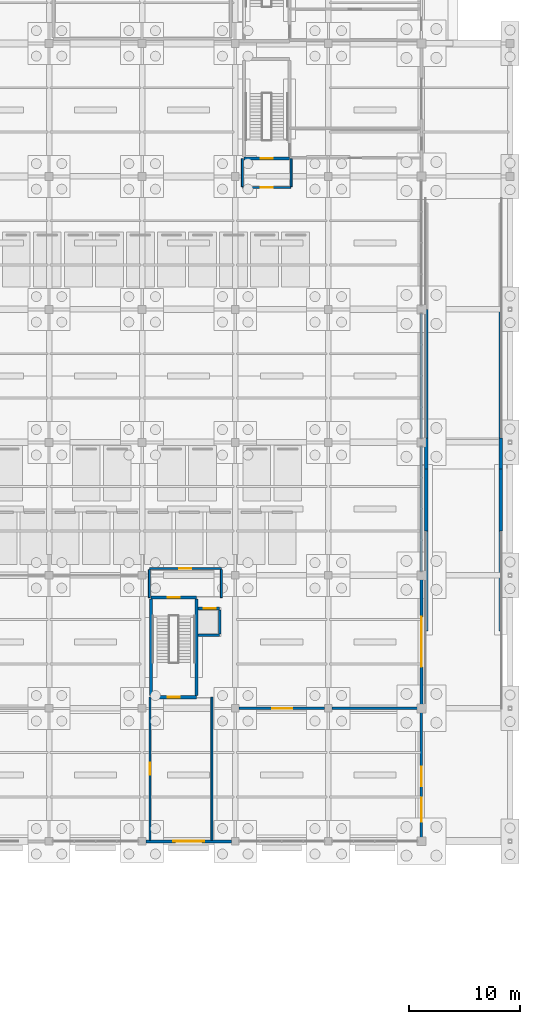
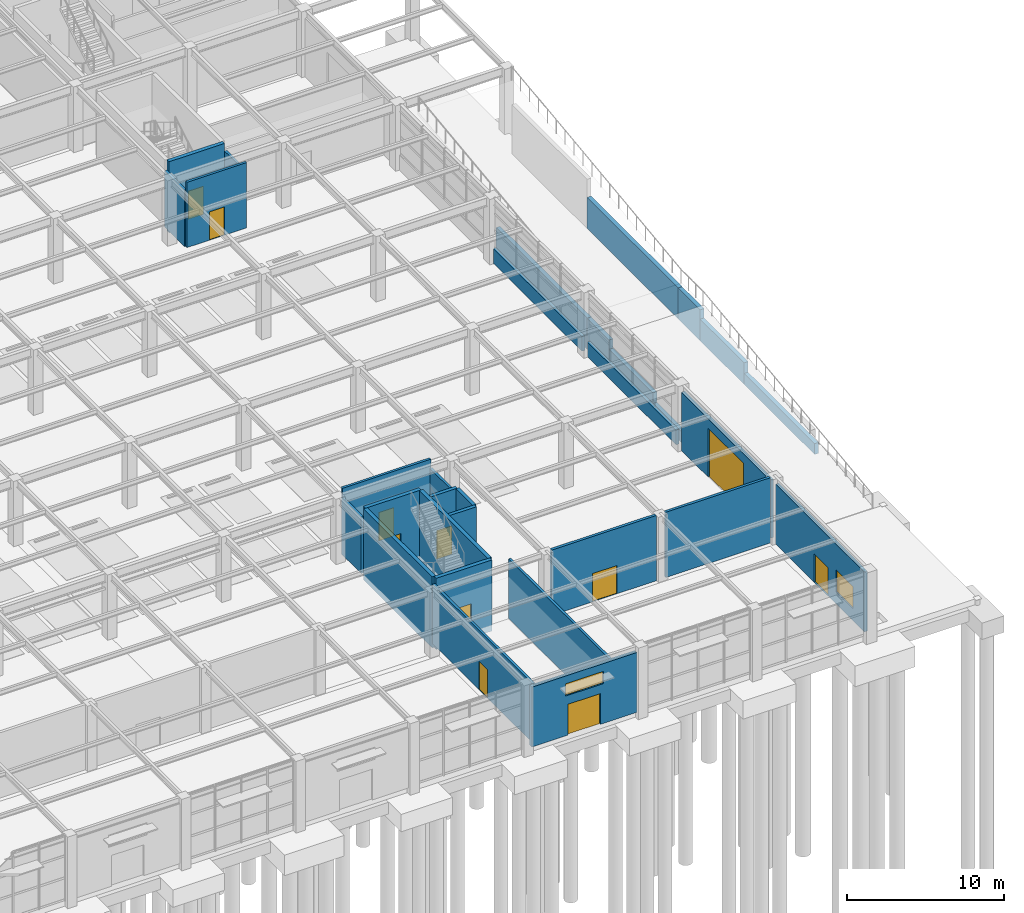
# One storey, part 108 of 129: 31 walls, 11 doors, 2 windows, 13 openings.
"""IFC4 building model written with IfcOpenShell, lengths in metres."""

from ifc_helpers import new_model, si_unit, direction, frame, frame_2d, origin, place, context, subcontext, project, spatial, rectangle, extrude, material, layer, layer_set, type_object, element, fill, save


model = new_model("IFC4")

# Units and contexts
model_context = context("Model", 3, precision=1e-05, world=origin(), true_north=direction((0.0, 1.0)))
body_context = subcontext(model_context, "Body", "Model", "MODEL_VIEW")
ifc_project = project(units=[si_unit("LENGTHUNIT", "METRE"), si_unit("AREAUNIT", "SQUARE_METRE"), si_unit("VOLUMEUNIT", "CUBIC_METRE"), si_unit("PLANEANGLEUNIT", "RADIAN"), si_unit("MASSUNIT", "GRAM", prefix="KILO")], contexts=[model_context])

# Site, building, storey
site_placement = place(None, origin())
site = spatial("IfcSite", under=ifc_project, at=site_placement, CompositionType="ELEMENT")
building_placement = place(site_placement, origin())
building = spatial("IfcBuilding", under=site, at=building_placement, Name="Sitalva Quay Ferry Terminal", CompositionType="ELEMENT")
storey_placement = place(building_placement, origin())
storey = spatial("IfcBuildingStorey", under=building, at=storey_placement, Name="L01", CompositionType="ELEMENT", Elevation=0.0)

# Wall, opening, door
ifc_material_1 = material(Name="Concrete C40/50", Category="concrete")
ifc_layer_1 = layer(ifc_material_1, 0.280029296875)
ifc_layer_set_1 = layer_set([ifc_layer_1], Name="Concrete C40/50")
wall_type_1 = type_object("IfcWallType", Name="Wall_CoreShear_280", PredefinedType="SHEAR", material=ifc_layer_set_1)
wall_1_placement = place(storey_placement, frame((147.699951171875, 19.0, -0.449951171875), z_axis=(0.0, 0.0, 1.0), x_axis=(-1.0, 0.0, 0.0)))
wall_1 = element("IfcWall", 1, at=wall_1_placement, inside=storey, type_object=wall_type_1, Name="Core C8 L01 south shear wall", PredefinedType="SHEAR", context=body_context, shape_type="SweptSolid", body=[
    extrude(rectangle(XDim=4.099853515625, YDim=0.280029296875, at=frame_2d((2.0498046875, 0.0))), origin(), (0.0, 0.0, 1.0), 5.530029296875),
])
opening_1_placement = place(wall_1_placement, frame((1.5, 0.0, 0.449951171875)))
opening_1 = element("IfcOpeningElement", 2, at=opening_1_placement, cuts=wall_1, Name="Opening D-L01-029", PredefinedType="OPENING", context=body_context, shape_type="SweptSolid", body=[
    extrude(rectangle(XDim=1.10009765625, YDim=2.199951171875, at=frame_2d((0.550048828125, 1.10009765625))), frame((0.0, 0.14990234375, 0.0), z_axis=(0.0, -1.0, 0.0), x_axis=(1.0, 0.0, 0.0)), (0.0, 0.0, 1.0), 0.300048828125),
])
ifc_material_2 = material(Name="Galvanised Steel Fire Door", Category="steel")
door_type_1 = type_object("IfcDoorType", Name="Door_CoreExit_1100x2200", OperationType="SINGLE_SWING_LEFT", PredefinedType="DOOR", material=ifc_material_2)
door_1_placement = place(opening_1_placement, origin())
door_1 = element("IfcDoor", 3, at=door_1_placement, inside=storey, type_object=door_type_1, Name="DOOR-D-L01-029 Protected stair ST-08 exit discharge door D-L01-029", OperationType="SINGLE_SWING_LEFT", OverallHeight=2.199951171875, OverallWidth=1.10009765625, PredefinedType="DOOR", context=body_context, shape_type="SweptSolid", body=[
    extrude(rectangle(XDim=1.10009765625, YDim=2.199951171875, at=frame_2d((0.550048828125, 1.10009765625))), frame((0.0, 0.02490234375, 0.0), z_axis=(0.0, -1.0, 0.0), x_axis=(1.0, 0.0, 0.0)), (0.0, 0.0, 1.0), 0.050048828125),
])
fill(opening_1, door_1)

wall_2_placement = place(storey_placement, frame((143.60009765625, 28.0, -0.449951171875), z_axis=(0.0, 0.0, 1.0), x_axis=(1.0, 0.0, 0.0)))
wall_2 = element("IfcWall", 4, at=wall_2_placement, inside=storey, type_object=wall_type_1, Name="Core C8 L01 north shear wall", PredefinedType="SHEAR", context=body_context, shape_type="SweptSolid", body=[
    extrude(rectangle(XDim=4.099853515625, YDim=0.280029296875, at=frame_2d((2.0498046875, 0.0))), origin(), (0.0, 0.0, 1.0), 5.530029296875),
])
opening_2_placement = place(wall_2_placement, frame((1.5, 0.0, 0.449951171875)))
opening_2 = element("IfcOpeningElement", 5, at=opening_2_placement, cuts=wall_2, Name="Opening D-L01-028", PredefinedType="OPENING", context=body_context, shape_type="SweptSolid", body=[
    extrude(rectangle(XDim=1.10009765625, YDim=2.199951171875, at=frame_2d((0.550048828125, 1.10009765625))), frame((0.0, 0.14990234375, 0.0), z_axis=(0.0, -1.0, 0.0), x_axis=(1.0, 0.0, 0.0)), (0.0, 0.0, 1.0), 0.300048828125),
])
door_2_placement = place(opening_2_placement, origin())
door_2 = element("IfcDoor", 6, at=door_2_placement, inside=storey, type_object=door_type_1, Name="DOOR-D-L01-028 Protected stair ST-08 door D-L01-028", OperationType="SINGLE_SWING_RIGHT", OverallHeight=2.199951171875, OverallWidth=1.10009765625, PredefinedType="DOOR", context=body_context, shape_type="SweptSolid", body=[
    extrude(rectangle(XDim=1.10009765625, YDim=2.199951171875, at=frame_2d((0.550048828125, 1.10009765625))), frame((0.0, 0.02490234375, 0.0), z_axis=(0.0, -1.0, 0.0), x_axis=(1.0, 0.0, 0.0)), (0.0, 0.0, 1.0), 0.050048828125),
])
fill(opening_2, door_2)

# Walls
for number, where, z_axis, x_axis, name in (
    (7, (143.60009765625, 19.139892578125, -0.449951171875), (0.0, 0.0, 1.0), (0.0, 1.0, 0.0), "Core C8 L01 west shear wall"),
    (8, (147.699951171875, 19.139892578125, -0.449951171875), (0.0, 0.0, 1.0), (0.0, 1.0, 0.0), "Core C8 L01 east shear wall"),
):
    element("IfcWall", number, at=place(storey_placement, frame(where, z_axis=z_axis, x_axis=x_axis)), inside=storey, type_object=wall_type_1, Name=name, PredefinedType="SHEAR", context=body_context, shape_type="SweptSolid", body=[
        extrude(rectangle(XDim=8.72021484375, YDim=0.280029296875, at=frame_2d((4.360107421875, 0.0))), origin(), (0.0, 0.0, 1.0), 5.530029296875),
    ])

# Wall, opening, door
wall_3_placement = place(storey_placement, frame((156.10009765625, 67.60009765625, -0.449951171875), z_axis=(0.0, 0.0, 1.0), x_axis=(-1.0, 0.0, 0.0)))
wall_3 = element("IfcWall", 9, at=wall_3_placement, inside=storey, type_object=wall_type_1, Name="Core C9 L01 south shear wall", PredefinedType="SHEAR", context=body_context, shape_type="SweptSolid", body=[
    extrude(rectangle(XDim=4.10009765625, YDim=0.280029296875, at=frame_2d((2.050048828125, 0.0))), origin(), (0.0, 0.0, 1.0), 5.530029296875),
])
opening_3_placement = place(wall_3_placement, frame((1.5, 0.0, 0.449951171875)))
opening_3 = element("IfcOpeningElement", 10, at=opening_3_placement, cuts=wall_3, Name="Opening D-L01-032", PredefinedType="OPENING", context=body_context, shape_type="SweptSolid", body=[
    extrude(rectangle(XDim=1.10009765625, YDim=2.199951171875, at=frame_2d((0.550048828125, 1.10009765625))), frame((0.0, 0.14990234375, 0.0), z_axis=(0.0, -1.0, 0.0), x_axis=(1.0, 0.0, 0.0)), (0.0, 0.0, 1.0), 0.300048828125),
])
door_3_placement = place(opening_3_placement, origin())
door_3 = element("IfcDoor", 11, at=door_3_placement, inside=storey, type_object=door_type_1, Name="DOOR-D-L01-032 Protected stair ST-09 door D-L01-032", OperationType="SINGLE_SWING_RIGHT", OverallHeight=2.199951171875, OverallWidth=1.10009765625, PredefinedType="DOOR", context=body_context, shape_type="SweptSolid", body=[
    extrude(rectangle(XDim=1.10009765625, YDim=2.199951171875, at=frame_2d((0.550048828125, 1.10009765625))), frame((0.0, 0.02490234375, 0.0), z_axis=(0.0, -1.0, 0.0), x_axis=(1.0, 0.0, 0.0)), (0.0, 0.0, 1.0), 0.050048828125),
])
fill(opening_3, door_3)

# Walls
ifc_material_3 = material(Name="Concrete C40/50", Category="concrete")
ifc_layer_2 = layer(ifc_material_3, 0.300048828125)
ifc_layer_set_2 = layer_set([ifc_layer_2], Name="Concrete C40/50")
wall_type_2 = type_object("IfcWallType", Name="Wall_CoreShear_300", PredefinedType="SHEAR", material=ifc_layer_set_2)
wall_4_placement = place(storey_placement, frame((168.449951171875, 25.0, 0.0), z_axis=(0.0, 0.0, 1.0), x_axis=(0.0, 1.0, 0.0)))
element("IfcWall", 12, at=wall_4_placement, inside=storey, type_object=wall_type_2, Name="Vehicle ramp VR-01 lower support pier W", PredefinedType="SHEAR", context=body_context, shape_type="SweptSolid", body=[
    extrude(rectangle(XDim=9.0, YDim=0.300048828125, at=frame_2d((4.5, 0.0))), origin(), (0.0, 0.0, 1.0), 0.85009765625),
])
wall_5_placement = place(storey_placement, frame((168.449951171875, 34.0, 0.0), z_axis=(0.0, 0.0, 1.0), x_axis=(0.0, 1.0, 0.0)))
element("IfcWall", 13, at=wall_5_placement, inside=storey, type_object=wall_type_2, Name="Vehicle ramp VR-01 lower-upper pier W", PredefinedType="SHEAR", context=body_context, shape_type="SweptSolid", body=[
    extrude(rectangle(XDim=5.60009765625, YDim=0.300048828125, at=frame_2d((2.800048828125, 0.0))), origin(), (0.0, 0.0, 1.0), 1.679931640625),
])
wall_6_placement = place(storey_placement, frame((168.449951171875, 39.60009765625, 0.0), z_axis=(0.0, 0.0, 1.0), x_axis=(0.0, 1.0, 0.0)))
element("IfcWall", 14, at=wall_6_placement, inside=storey, type_object=wall_type_2, Name="Vehicle ramp VR-01 mid-landing support wall W", PredefinedType="SHEAR", context=body_context, shape_type="SweptSolid", body=[
    extrude(rectangle(XDim=2.7998046875, YDim=0.300048828125, at=frame_2d((1.39990234375, 0.0))), origin(), (0.0, 0.0, 1.0), 2.39990234375),
])
wall_7_placement = place(storey_placement, frame((168.449951171875, 42.385009765625, 0.0), z_axis=(0.0, 0.0, 1.0), x_axis=(0.0, 1.0, 0.0)))
element("IfcWall", 15, at=wall_7_placement, inside=storey, type_object=wall_type_2, Name="Vehicle ramp VR-01 upper-mid support wall W", PredefinedType="SHEAR", context=body_context, shape_type="SweptSolid", body=[
    extrude(rectangle(XDim=11.614990234375, YDim=0.300048828125, at=frame_2d((5.8076171875, 0.0))), origin(), (0.0, 0.0, 1.0), 2.419921875),
])
wall_8_placement = place(storey_placement, frame((175.14990234375, 25.0, 0.0), z_axis=(0.0, 0.0, 1.0), x_axis=(0.0, 1.0, 0.0)))
element("IfcWall", 16, at=wall_8_placement, inside=storey, type_object=wall_type_2, Name="Vehicle ramp VR-01 lower support pier E", PredefinedType="SHEAR", context=body_context, shape_type="SweptSolid", body=[
    extrude(rectangle(XDim=9.0, YDim=0.300048828125, at=frame_2d((4.5, 0.0))), origin(), (0.0, 0.0, 1.0), 0.85009765625),
])
wall_9_placement = place(storey_placement, frame((175.14990234375, 34.0, 0.0), z_axis=(0.0, 0.0, 1.0), x_axis=(0.0, 1.0, 0.0)))
element("IfcWall", 17, at=wall_9_placement, inside=storey, type_object=wall_type_2, Name="Vehicle ramp VR-01 lower-upper pier E", PredefinedType="SHEAR", context=body_context, shape_type="SweptSolid", body=[
    extrude(rectangle(XDim=5.60009765625, YDim=0.300048828125, at=frame_2d((2.800048828125, 0.0))), origin(), (0.0, 0.0, 1.0), 1.679931640625),
])
wall_10_placement = place(storey_placement, frame((175.14990234375, 39.60009765625, 0.0), z_axis=(0.0, 0.0, 1.0), x_axis=(0.0, 1.0, 0.0)))
element("IfcWall", 18, at=wall_10_placement, inside=storey, type_object=wall_type_2, Name="Vehicle ramp VR-01 mid-landing support wall E", PredefinedType="SHEAR", context=body_context, shape_type="SweptSolid", body=[
    extrude(rectangle(XDim=2.7998046875, YDim=0.300048828125, at=frame_2d((1.39990234375, 0.0))), origin(), (0.0, 0.0, 1.0), 2.39990234375),
])
wall_11_placement = place(storey_placement, frame((175.14990234375, 42.39990234375, 0.0), z_axis=(0.0, 0.0, 1.0), x_axis=(0.0, 1.0, 0.0)))
element("IfcWall", 19, at=wall_11_placement, inside=storey, type_object=wall_type_2, Name="Vehicle ramp VR-01 upper-mid support wall E", PredefinedType="SHEAR", context=body_context, shape_type="SweptSolid", body=[
    extrude(rectangle(XDim=11.60009765625, YDim=0.300048828125, at=frame_2d((5.800048828125, 0.0))), origin(), (0.0, 0.0, 1.0), 2.419921875),
])

# Wall, openings, door, window
ifc_material_4 = material(Name="Insulated Precast Concrete C40/50", Category="concrete")
ifc_layer_3 = layer(ifc_material_4, 0.239990234375)
ifc_layer_set_3 = layer_set([ifc_layer_3], Name="Insulated Precast Concrete C40/50")
wall_type_3 = type_object("IfcWallType", Name="Wall_ExtClad_240", PredefinedType="ELEMENTEDWALL", material=ifc_layer_set_3)
wall_12_placement = place(storey_placement, frame((168.0, 6.35009765625, 0.0), z_axis=(0.0, 0.0, 1.0), x_axis=(0.0, 1.0, 0.0)))
wall_12 = element("IfcWall", 20, at=wall_12_placement, inside=storey, type_object=wall_type_3, Name="SE concourse east end wall EW-L01-125", PredefinedType="ELEMENTEDWALL", context=body_context, shape_type="SweptSolid", body=[
    extrude(rectangle(XDim=11.2998046875, YDim=0.239990234375, at=frame_2d((5.64990234375, 0.0))), origin(), (0.0, 0.0, 1.0), 4.657958984375),
])
opening_4_placement = place(wall_12_placement, frame((4.60009765625, 0.0, 0.0)))
opening_4 = element("IfcOpeningElement", 21, at=opening_4_placement, cuts=wall_12, Name="Opening ED-L01-020", PredefinedType="OPENING", context=body_context, shape_type="SweptSolid", body=[
    extrude(rectangle(XDim=1.800048828125, YDim=2.199951171875, at=frame_2d((0.89990234375, 1.10009765625))), frame((0.0, 0.1298828125, 0.0), z_axis=(0.0, -1.0, 0.0), x_axis=(1.0, 0.0, 0.0)), (0.0, 0.0, 1.0), 0.260009765625),
])
opening_5_placement = place(wall_12_placement, frame((1.39990234375, 0.0, 0.949951171875)))
opening_5 = element("IfcOpeningElement", 22, at=opening_5_placement, cuts=wall_12, Name="Opening WN-L01-010", PredefinedType="OPENING", context=body_context, shape_type="SweptSolid", body=[
    extrude(rectangle(XDim=2.199951171875, YDim=1.699951171875, at=frame_2d((1.10009765625, 0.85009765625))), frame((0.0, 0.1298828125, 0.0), z_axis=(0.0, -1.0, 0.0), x_axis=(1.0, 0.0, 0.0)), (0.0, 0.0, 1.0), 0.260009765625),
])
ifc_material_5 = material(Name="Stainless Steel 316L", Category="steel")
door_type_2 = type_object("IfcDoorType", Name="Door_QuayExit_1800x2200", OperationType="DOUBLE_DOOR_SINGLE_SWING", PredefinedType="DOOR", material=ifc_material_5)
door_4_placement = place(opening_4_placement, origin())
door_4 = element("IfcDoor", 23, at=door_4_placement, inside=storey, type_object=door_type_2, Name="EDOOR-ED-L01-020 East pier pedestrian exit door ED-L01-020", OperationType="DOUBLE_DOOR_SINGLE_SWING", OverallHeight=2.199951171875, OverallWidth=1.800048828125, PredefinedType="DOOR", context=body_context, shape_type="SweptSolid", body=[
    extrude(rectangle(XDim=1.800048828125, YDim=2.199951171875, at=frame_2d((0.89990234375, 1.10009765625))), frame((0.0, 0.02490234375, 0.0), z_axis=(0.0, -1.0, 0.0), x_axis=(1.0, 0.0, 0.0)), (0.0, 0.0, 1.0), 0.050048828125),
])
fill(opening_4, door_4)
ifc_material_6 = material(Name="Anodised Aluminium & Low-E Glass", Category="aluminium")
window_type_1 = type_object("IfcWindowType", Name="Win_Gallery_2200x1700", PartitioningType="SINGLE_PANEL", PredefinedType="WINDOW", material=ifc_material_6)
window_1_placement = place(opening_5_placement, origin())
window_1 = element("IfcWindow", 24, at=window_1_placement, inside=storey, type_object=window_type_1, Name="SE concourse east window WN-L01-010", OverallHeight=1.699951171875, OverallWidth=2.199951171875, PartitioningType="SINGLE_PANEL", PredefinedType="WINDOW", context=body_context, shape_type="SweptSolid", body=[
    extrude(rectangle(XDim=2.199951171875, YDim=1.699951171875, at=frame_2d((1.10009765625, 0.85009765625))), frame((0.0, 0.030029296875, 0.0), z_axis=(0.0, -1.0, 0.0), x_axis=(1.0, 0.0, 0.0)), (0.0, 0.0, 1.0), 0.06005859375),
])
fill(opening_5, window_1)

ifc_material_7 = material(Name="Marine Concrete C40/50", Category="concrete")
ifc_layer_4 = layer(ifc_material_7, 0.280029296875)
ifc_layer_set_4 = layer_set([ifc_layer_4], Name="Marine Concrete C40/50")
wall_type_4 = type_object("IfcWallType", Name="Wall_ExtMarine_280", PredefinedType="SOLIDWALL", material=ifc_layer_set_4)
wall_13_placement = place(storey_placement, frame((150.864990234375, 6.0, 0.0), z_axis=(0.0, 0.0, 1.0), x_axis=(-1.0, 0.0, 0.0)))
wall_13 = element("IfcWall", 25, at=wall_13_placement, inside=storey, type_object=wall_type_4, Name="South-east quay concourse portal EW-L01-118", PredefinedType="SOLIDWALL", context=body_context, shape_type="SweptSolid", body=[
    extrude(rectangle(XDim=7.72998046875, YDim=0.280029296875, at=frame_2d((3.864990234375, 0.0))), origin(), (0.0, 0.0, 1.0), 4.657958984375),
])
opening_6_placement = place(wall_13_placement, frame((2.6650390625, 0.0, 0.0)))
opening_6 = element("IfcOpeningElement", 26, at=opening_6_placement, cuts=wall_13, Name="Opening ED-L01-013", PredefinedType="OPENING", context=body_context, shape_type="SweptSolid", body=[
    extrude(rectangle(XDim=2.39990234375, YDim=2.39990234375, at=frame_2d((1.199951171875, 1.199951171875))), frame((0.0, 0.14990234375, 0.0), z_axis=(0.0, -1.0, 0.0), x_axis=(1.0, 0.0, 0.0)), (0.0, 0.0, 1.0), 0.300048828125),
])
opening_7_placement = place(wall_13_placement, frame((2.465087890625, 0.0, 3.10009765625)))
opening_7 = element("IfcOpeningElement", 27, at=opening_7_placement, cuts=wall_13, Name="Opening WN-L01-005", PredefinedType="OPENING", context=body_context, shape_type="SweptSolid", body=[
    extrude(rectangle(XDim=2.800048828125, YDim=0.949951171875, at=frame_2d((1.39990234375, 0.47509765625))), frame((0.0, 0.14990234375, 0.0), z_axis=(0.0, -1.0, 0.0), x_axis=(1.0, 0.0, 0.0)), (0.0, 0.0, 1.0), 0.300048828125),
])
ifc_material_8 = material(Name="Anodised Aluminium & Toughened Glass", Category="aluminium")
door_type_3 = type_object("IfcDoorType", Name="Door_Entrance_2400x2400", OperationType="DOUBLE_DOOR_SINGLE_SWING", PredefinedType="DOOR", material=ifc_material_8)
door_5_placement = place(opening_6_placement, origin())
door_5 = element("IfcDoor", 28, at=door_5_placement, inside=storey, type_object=door_type_3, Name="EDOOR-ED-L01-013 South-east quay passenger concourse exit door ED-L01-013", OperationType="DOUBLE_DOOR_SINGLE_SWING", OverallHeight=2.39990234375, OverallWidth=2.39990234375, PredefinedType="DOOR", context=body_context, shape_type="SweptSolid", body=[
    extrude(rectangle(XDim=2.39990234375, YDim=2.39990234375, at=frame_2d((1.199951171875, 1.199951171875))), frame((0.0, 0.02490234375, 0.0), z_axis=(0.0, -1.0, 0.0), x_axis=(1.0, 0.0, 0.0)), (0.0, 0.0, 1.0), 0.050048828125),
])
fill(opening_6, door_5)
ifc_material_9 = material(Name="Anodised Aluminium & Low-E Glass", Category="aluminium")
window_type_2 = type_object("IfcWindowType", Name="Win_Clerestory_2800x950", PartitioningType="SINGLE_PANEL", PredefinedType="WINDOW", material=ifc_material_9)
window_2_placement = place(opening_7_placement, origin())
window_2 = element("IfcWindow", 29, at=window_2_placement, inside=storey, type_object=window_type_2, Name="Embarkation transom window WN-L01-005", OverallHeight=0.949951171875, OverallWidth=2.800048828125, PartitioningType="SINGLE_PANEL", PredefinedType="WINDOW", context=body_context, shape_type="SweptSolid", body=[
    extrude(rectangle(XDim=2.800048828125, YDim=0.949951171875, at=frame_2d((1.39990234375, 0.47509765625))), frame((0.0, 0.030029296875, 0.0), z_axis=(0.0, -1.0, 0.0), x_axis=(1.0, 0.0, 0.0)), (0.0, 0.0, 1.0), 0.06005859375),
])
fill(opening_7, window_2)

# Wall, opening, door
ifc_material_10 = material(Name="Concrete C40/50", Category="concrete")
ifc_layer_5 = layer(ifc_material_10, 0.260009765625)
ifc_layer_set_5 = layer_set([ifc_layer_5], Name="Concrete C40/50")
wall_type_5 = type_object("IfcWallType", Name="Wall_ExtSolid_260", PredefinedType="SOLIDWALL", material=ifc_layer_set_5)
wall_14_placement = place(storey_placement, frame((168.0, 18.35009765625, 0.0), z_axis=(0.0, 0.0, 1.0), x_axis=(0.0, 1.0, 0.0)))
wall_14 = element("IfcWall", 30, at=wall_14_placement, inside=storey, type_object=wall_type_5, Name="Ro-Ro ground vehicle portal wall EW-L01-126", PredefinedType="SOLIDWALL", context=body_context, shape_type="SweptSolid", body=[
    extrude(rectangle(XDim=11.2998046875, YDim=0.260009765625, at=frame_2d((5.64990234375, 0.0))), origin(), (0.0, 0.0, 1.0), 4.533935546875),
])
opening_8_placement = place(wall_14_placement, frame((3.39990234375, 0.0, 0.0)))
opening_8 = element("IfcOpeningElement", 31, at=opening_8_placement, cuts=wall_14, Name="Opening ED-L01-021", PredefinedType="OPENING", context=body_context, shape_type="SweptSolid", body=[
    extrude(rectangle(XDim=4.5, YDim=3.800048828125, at=frame_2d((2.25, 1.89990234375))), frame((0.0, 0.139892578125, 0.0), z_axis=(0.0, -1.0, 0.0), x_axis=(1.0, 0.0, 0.0)), (0.0, 0.0, 1.0), 0.280029296875),
])
ifc_material_11 = material(Name="Galvanised Steel Roller Shutter", Category="steel")
door_type_4 = type_object("IfcDoorType", Name="Door_RollerVehicle_4500x4200", OperationType="ROLLINGUP", PredefinedType="GATE", material=ifc_material_11)
door_6_placement = place(opening_8_placement, origin())
door_6 = element("IfcDoor", 32, at=door_6_placement, inside=storey, type_object=door_type_4, Name="EDOOR-ED-L01-021 Ro-Ro marshalling ground vehicle gate ED-L01-021", OperationType="ROLLINGUP", OverallHeight=3.800048828125, OverallWidth=4.5, PredefinedType="GATE", context=body_context, shape_type="SweptSolid", body=[
    extrude(rectangle(XDim=4.5, YDim=3.800048828125, at=frame_2d((2.25, 1.89990234375))), frame((0.0, 0.02490234375, 0.0), z_axis=(0.0, -1.0, 0.0), x_axis=(1.0, 0.0, 0.0)), (0.0, 0.0, 1.0), 0.050048828125),
])
fill(opening_8, door_6)

# Walls
ifc_material_12 = material(Name="Concrete C35/45", Category="concrete")
ifc_layer_6 = layer(ifc_material_12, 0.219970703125)
ifc_layer_set_6 = layer_set([ifc_layer_6], Name="Concrete C35/45")
wall_type_6 = type_object("IfcWallType", Name="Wall_ExtSpandrel_220", PredefinedType="SOLIDWALL", material=ifc_layer_set_6)
for number, where, z_axis, x_axis, name in (
    (33, (168.0, 30.35009765625, 0.0), (0.0, 0.0, 1.0), (0.0, 1.0, 0.0), "Ro-Ro east vehicle barrier wall EW-L01-128"),
    (34, (168.0, 42.35009765625, 0.0), (0.0, 0.0, 1.0), (0.0, 1.0, 0.0), "Ro-Ro east vehicle barrier wall EW-L01-130"),
):
    element("IfcWall", number, at=place(storey_placement, frame(where, z_axis=z_axis, x_axis=x_axis)), inside=storey, type_object=wall_type_6, Name=name, PredefinedType="SOLIDWALL", context=body_context, shape_type="SweptSolid", body=[
        extrude(rectangle(XDim=11.2998046875, YDim=0.219970703125, at=frame_2d((5.64990234375, 0.0))), origin(), (0.0, 0.0, 1.0), 1.14990234375),
    ])

# Wall, opening, door
ifc_material_13 = material(Name="Concrete Blockwork C25/30", Category="masonry")
ifc_layer_7 = layer(ifc_material_13, 0.199951171875)
ifc_layer_set_7 = layer_set([ifc_layer_7], Name="Concrete Blockwork C25/30")
wall_type_7 = type_object("IfcWallType", Name="Wall_FireComp_200", PredefinedType="SOLIDWALL", material=ifc_layer_set_7)
wall_15_placement = place(storey_placement, frame((151.550048828125, 18.0, 0.0), z_axis=(0.0, 0.0, 1.0), x_axis=(1.0, 0.0, 0.0)))
wall_15 = element("IfcWall", 35, at=wall_15_placement, inside=storey, type_object=wall_type_7, Name="L01 concourse-to-marshalling fire wall IW-L01-0111", PredefinedType="SOLIDWALL", context=body_context, shape_type="SweptSolid", body=[
    extrude(rectangle(XDim=7.699951171875, YDim=0.199951171875, at=frame_2d((3.85009765625, 0.0))), origin(), (0.0, 0.0, 1.0), 5.080078125),
])
opening_9_placement = place(wall_15_placement, frame((3.0, 0.0, 0.0)))
opening_9 = element("IfcOpeningElement", 36, at=opening_9_placement, cuts=wall_15, Name="Opening ID-L01-038", PredefinedType="OPENING", context=body_context, shape_type="SweptSolid", body=[
    extrude(rectangle(XDim=1.800048828125, YDim=2.199951171875, at=frame_2d((0.89990234375, 1.10009765625))), frame((0.0, 0.10986328125, 0.0), z_axis=(0.0, -1.0, 0.0), x_axis=(1.0, 0.0, 0.0)), (0.0, 0.0, 1.0), 0.219970703125),
])
ifc_material_14 = material(Name="Glazed Steel Fire Door", Category="steel")
door_type_5 = type_object("IfcDoorType", Name="Door_FireCorridor_1800x2200", OperationType="DOUBLE_DOOR_SINGLE_SWING", PredefinedType="DOOR", material=ifc_material_14)
door_7_placement = place(opening_9_placement, origin())
door_7 = element("IfcDoor", 37, at=door_7_placement, inside=storey, type_object=door_type_5, Name="IDOOR-ID-L01-038 Foot-passenger marshalling vestibule door ID-L01-038", OperationType="DOUBLE_DOOR_SINGLE_SWING", OverallHeight=2.199951171875, OverallWidth=1.800048828125, PredefinedType="DOOR", context=body_context, shape_type="SweptSolid", body=[
    extrude(rectangle(XDim=1.800048828125, YDim=2.199951171875, at=frame_2d((0.89990234375, 1.10009765625))), frame((0.0, 0.02490234375, 0.0), z_axis=(0.0, -1.0, 0.0), x_axis=(1.0, 0.0, 0.0)), (0.0, 0.0, 1.0), 0.050048828125),
])
fill(opening_9, door_7)

# Wall
wall_16_placement = place(storey_placement, frame((159.949951171875, 18.0, 0.0), z_axis=(0.0, 0.0, 1.0), x_axis=(1.0, 0.0, 0.0)))
element("IfcWall", 38, at=wall_16_placement, inside=storey, type_object=wall_type_7, Name="L01 concourse-to-marshalling fire wall IW-L01-0112", PredefinedType="SOLIDWALL", context=body_context, shape_type="SweptSolid", body=[
    extrude(rectangle(XDim=7.699951171875, YDim=0.199951171875, at=frame_2d((3.85009765625, 0.0))), origin(), (0.0, 0.0, 1.0), 5.080078125),
])

# Wall, opening, door
ifc_material_15 = material(Name="Fire-Rated Blockwork C25/30", Category="masonry")
ifc_layer_8 = layer(ifc_material_15, 0.179931640625)
ifc_layer_set_8 = layer_set([ifc_layer_8], Name="Fire-Rated Blockwork C25/30")
wall_type_8 = type_object("IfcWallType", Name="Wall_FireLobby_180", PredefinedType="SOLIDWALL", material=ifc_layer_set_8)
wall_17_placement = place(storey_placement, frame((143.449951171875, 30.60009765625, 0.0), z_axis=(0.0, 0.0, 1.0), x_axis=(1.0, 0.0, 0.0)))
wall_17 = element("IfcWall", 39, at=wall_17_placement, inside=storey, type_object=wall_type_8, Name="Firefighting & Lift Lobby C8 N wall IW-L01-0073", PredefinedType="SOLIDWALL", context=body_context, shape_type="SweptSolid", body=[
    extrude(rectangle(XDim=6.5, YDim=0.179931640625, at=frame_2d((3.25, 0.0))), origin(), (0.0, 0.0, 1.0), 5.080078125),
])
opening_10_placement = place(wall_17_placement, frame((2.699951171875, 0.0, 0.0)))
opening_10 = element("IfcOpeningElement", 40, at=opening_10_placement, cuts=wall_17, Name="Opening ID-L01-025", PredefinedType="OPENING", context=body_context, shape_type="SweptSolid", body=[
    extrude(rectangle(XDim=1.10009765625, YDim=2.199951171875, at=frame_2d((0.550048828125, 1.10009765625))), frame((0.0, 0.099853515625, 0.0), z_axis=(0.0, -1.0, 0.0), x_axis=(1.0, 0.0, 0.0)), (0.0, 0.0, 1.0), 0.199951171875),
])
ifc_material_16 = material(Name="Steel Fire Door", Category="steel")
door_type_6 = type_object("IfcDoorType", Name="Door_FireLobby_1100x2200", OperationType="SINGLE_SWING_LEFT", PredefinedType="DOOR", material=ifc_material_16)
door_8_placement = place(opening_10_placement, origin())
door_8 = element("IfcDoor", 41, at=door_8_placement, inside=storey, type_object=door_type_6, Name="IDOOR-ID-L01-025 Firefighting & Lift Lobby C8 entrance ID-L01-025", OperationType="SINGLE_SWING_LEFT", OverallHeight=2.199951171875, OverallWidth=1.10009765625, PredefinedType="DOOR", context=body_context, shape_type="SweptSolid", body=[
    extrude(rectangle(XDim=1.10009765625, YDim=2.199951171875, at=frame_2d((0.550048828125, 1.10009765625))), frame((0.0, 0.02490234375, 0.0), z_axis=(0.0, -1.0, 0.0), x_axis=(1.0, 0.0, 0.0)), (0.0, 0.0, 1.0), 0.050048828125),
])
fill(opening_10, door_8)

# Walls
for number, where, z_axis, x_axis, name in (
    (42, (143.449951171875, 28.0, 0.0), (0.0, 0.0, 1.0), (0.0, 1.0, 0.0), "Firefighting & Lift Lobby C8 W wall IW-L01-0074"),
    (43, (149.949951171875, 28.0, 0.0), (0.0, 0.0, 1.0), (0.0, 1.0, 0.0), "Firefighting & Lift Lobby C8 E wall IW-L01-0075"),
):
    element("IfcWall", number, at=place(storey_placement, frame(where, z_axis=z_axis, x_axis=x_axis)), inside=storey, type_object=wall_type_8, Name=name, PredefinedType="SOLIDWALL", context=body_context, shape_type="SweptSolid", body=[
        extrude(rectangle(XDim=2.510009765625, YDim=0.179931640625, at=frame_2d((1.2548828125, 0.0))), origin(), (0.0, 0.0, 1.0), 4.386962890625),
    ])

# Wall, opening, door
wall_18_placement = place(storey_placement, frame((151.85009765625, 65.0, 0.0), z_axis=(0.0, 0.0, 1.0), x_axis=(1.0, 0.0, 0.0)))
wall_18 = element("IfcWall", 44, at=wall_18_placement, inside=storey, type_object=wall_type_8, Name="Firefighting & Lift Lobby C9 S wall IW-L01-0082", PredefinedType="SOLIDWALL", context=body_context, shape_type="SweptSolid", body=[
    extrude(rectangle(XDim=4.39990234375, YDim=0.179931640625, at=frame_2d((2.199951171875, 0.0))), origin(), (0.0, 0.0, 1.0), 5.080078125),
])
opening_11_placement = place(wall_18_placement, frame((1.64990234375, 0.0, 0.0)))
opening_11 = element("IfcOpeningElement", 45, at=opening_11_placement, cuts=wall_18, Name="Opening ID-L01-028", PredefinedType="OPENING", context=body_context, shape_type="SweptSolid", body=[
    extrude(rectangle(XDim=1.10009765625, YDim=2.199951171875, at=frame_2d((0.550048828125, 1.10009765625))), frame((0.0, 0.099853515625, 0.0), z_axis=(0.0, -1.0, 0.0), x_axis=(1.0, 0.0, 0.0)), (0.0, 0.0, 1.0), 0.199951171875),
])
door_9_placement = place(opening_11_placement, origin())
door_9 = element("IfcDoor", 46, at=door_9_placement, inside=storey, type_object=door_type_6, Name="IDOOR-ID-L01-028 Firefighting & Lift Lobby C9 entrance ID-L01-028", OperationType="SINGLE_SWING_RIGHT", OverallHeight=2.199951171875, OverallWidth=1.10009765625, PredefinedType="DOOR", context=body_context, shape_type="SweptSolid", body=[
    extrude(rectangle(XDim=1.10009765625, YDim=2.199951171875, at=frame_2d((0.550048828125, 1.10009765625))), frame((0.0, 0.02490234375, 0.0), z_axis=(0.0, -1.0, 0.0), x_axis=(1.0, 0.0, 0.0)), (0.0, 0.0, 1.0), 0.050048828125),
])
fill(opening_11, door_9)

# Walls
for number, where, z_axis, x_axis, name in (
    (47, (151.85009765625, 65.090087890625, 0.0), (0.0, 0.0, 1.0), (0.0, 1.0, 0.0), "Firefighting & Lift Lobby C9 W wall IW-L01-0083"),
    (48, (156.25, 65.090087890625, 0.0), (0.0, 0.0, 1.0), (0.0, 1.0, 0.0), "Firefighting & Lift Lobby C9 E wall IW-L01-0084"),
):
    element("IfcWall", number, at=place(storey_placement, frame(where, z_axis=z_axis, x_axis=x_axis)), inside=storey, type_object=wall_type_8, Name=name, PredefinedType="SOLIDWALL", context=body_context, shape_type="SweptSolid", body=[
        extrude(rectangle(XDim=2.510009765625, YDim=0.179931640625, at=frame_2d((1.2548828125, 0.0))), origin(), (0.0, 0.0, 1.0), 4.386962890625),
    ])

# Wall, opening, door
wall_19_placement = place(storey_placement, frame((143.5, 6.080078125, 0.0), z_axis=(0.0, 0.0, 1.0), x_axis=(0.0, 1.0, 0.0)))
wall_19 = element("IfcWall", 49, at=wall_19_placement, inside=storey, type_object=wall_type_8, Name="Protected Exit Passage ST-08 W wall IW-L01-0121", PredefinedType="SOLIDWALL", context=body_context, shape_type="SweptSolid", body=[
    extrude(rectangle(XDim=12.919921875, YDim=0.179931640625, at=frame_2d((6.4599609375, 0.0))), origin(), (0.0, 0.0, 1.0), 4.6201171875),
])
opening_12_placement = place(wall_19_placement, frame((5.909912109375, 0.0, 0.0)))
opening_12 = element("IfcOpeningElement", 50, at=opening_12_placement, cuts=wall_19, Name="Opening ID-L01-044", PredefinedType="OPENING", context=body_context, shape_type="SweptSolid", body=[
    extrude(rectangle(XDim=1.10009765625, YDim=2.199951171875, at=frame_2d((0.550048828125, 1.10009765625))), frame((0.0, 0.099853515625, 0.0), z_axis=(0.0, -1.0, 0.0), x_axis=(1.0, 0.0, 0.0)), (0.0, 0.0, 1.0), 0.199951171875),
])
door_10_placement = place(opening_12_placement, origin())
door_10 = element("IfcDoor", 51, at=door_10_placement, inside=storey, type_object=door_type_6, Name="IDOOR-ID-L01-044 Protected Exit Passage ST-08 entrance ID-L01-044", OperationType="SINGLE_SWING_RIGHT", OverallHeight=2.199951171875, OverallWidth=1.10009765625, PredefinedType="DOOR", context=body_context, shape_type="SweptSolid", body=[
    extrude(rectangle(XDim=1.10009765625, YDim=2.199951171875, at=frame_2d((0.550048828125, 1.10009765625))), frame((0.0, 0.02490234375, 0.0), z_axis=(0.0, -1.0, 0.0), x_axis=(1.0, 0.0, 0.0)), (0.0, 0.0, 1.0), 0.050048828125),
])
fill(opening_12, door_10)

# Walls
wall_20_placement = place(storey_placement, frame((149.10009765625, 6.080078125, 0.0), z_axis=(0.0, 0.0, 1.0), x_axis=(0.0, 1.0, 0.0)))
element("IfcWall", 52, at=wall_20_placement, inside=storey, type_object=wall_type_8, Name="Protected Exit Passage ST-08 E wall IW-L01-0122", PredefinedType="SOLIDWALL", context=body_context, shape_type="SweptSolid", body=[
    extrude(rectangle(XDim=12.919921875, YDim=0.179931640625, at=frame_2d((6.4599609375, 0.0))), origin(), (0.0, 0.0, 1.0), 4.6201171875),
])
ifc_material_17 = material(Name="Concrete C35/45", Category="concrete")
ifc_layer_9 = layer(ifc_material_17, 0.25)
ifc_layer_set_9 = layer_set([ifc_layer_9], Name="Concrete C35/45")
wall_type_9 = type_object("IfcWallType", Name="Wall_LiftShaft_250", PredefinedType="SOLIDWALL", material=ifc_layer_set_9)
wall_21_placement = place(storey_placement, frame((147.844970703125, 24.60009765625, -1.60009765625), z_axis=(0.0, 0.0, 1.0), x_axis=(1.0, 0.0, 0.0)))
element("IfcWall", 53, at=wall_21_placement, inside=storey, type_object=wall_type_9, Name="Lift LF-07 L01 south shaft wall", PredefinedType="SOLIDWALL", context=body_context, shape_type="SweptSolid", body=[
    extrude(rectangle(XDim=1.955078125, YDim=0.25, at=frame_2d((0.9775390625, 0.0))), origin(), (0.0, 0.0, 1.0), 6.68017578125),
])

# Wall, opening, door
wall_22_placement = place(storey_placement, frame((147.844970703125, 27.0, -1.60009765625), z_axis=(0.0, 0.0, 1.0), x_axis=(1.0, 0.0, 0.0)))
wall_22 = element("IfcWall", 54, at=wall_22_placement, inside=storey, type_object=wall_type_9, Name="Lift LF-07 L01 north shaft wall", PredefinedType="SOLIDWALL", context=body_context, shape_type="SweptSolid", body=[
    extrude(rectangle(XDim=1.955078125, YDim=0.25, at=frame_2d((0.9775390625, 0.0))), origin(), (0.0, 0.0, 1.0), 6.68017578125),
])
opening_13_placement = place(wall_22_placement, frame((0.5, 0.0, 1.60009765625)))
opening_13 = element("IfcOpeningElement", 55, at=opening_13_placement, cuts=wall_22, Name="Opening LD-LF-07-L01", PredefinedType="OPENING", context=body_context, shape_type="SweptSolid", body=[
    extrude(rectangle(XDim=1.10009765625, YDim=2.199951171875, at=frame_2d((0.550048828125, 1.10009765625))), frame((0.0, 0.135009765625, 0.0), z_axis=(0.0, -1.0, 0.0), x_axis=(1.0, 0.0, 0.0)), (0.0, 0.0, 1.0), 0.27001953125),
])
ifc_material_18 = material(Name="Stainless Steel 316L Fire Landing Door", Category="steel")
door_type_7 = type_object("IfcDoorType", Name="Door_LiftLanding_1100x2200", OperationType="SLIDING_TO_LEFT", PredefinedType="DOOR", material=ifc_material_18)
door_11_placement = place(opening_13_placement, origin())
door_11 = element("IfcDoor", 56, at=door_11_placement, inside=storey, type_object=door_type_7, Name="DOOR-LD-LF-07-L01 Lift LF-07 sliding landing door LD-LF-07-L01", OperationType="SLIDING_TO_LEFT", OverallHeight=2.199951171875, OverallWidth=1.10009765625, PredefinedType="DOOR", context=body_context, shape_type="SweptSolid", body=[
    extrude(rectangle(XDim=1.10009765625, YDim=2.199951171875, at=frame_2d((0.550048828125, 1.10009765625))), frame((0.0, 0.02490234375, 0.0), z_axis=(0.0, -1.0, 0.0), x_axis=(1.0, 0.0, 0.0)), (0.0, 0.0, 1.0), 0.050048828125),
])
fill(opening_13, door_11)

# Wall
wall_23_placement = place(storey_placement, frame((149.800048828125, 24.72509765625, -1.60009765625), z_axis=(0.0, 0.0, 1.0), x_axis=(0.0, 1.0, 0.0)))
element("IfcWall", 57, at=wall_23_placement, inside=storey, type_object=wall_type_9, Name="Lift LF-07 L01 east shaft wall", PredefinedType="SOLIDWALL", context=body_context, shape_type="SweptSolid", body=[
    extrude(rectangle(XDim=2.14990234375, YDim=0.25, at=frame_2d((1.074951171875, 0.0))), origin(), (0.0, 0.0, 1.0), 6.68017578125),
])

save(model, "model.ifc")
